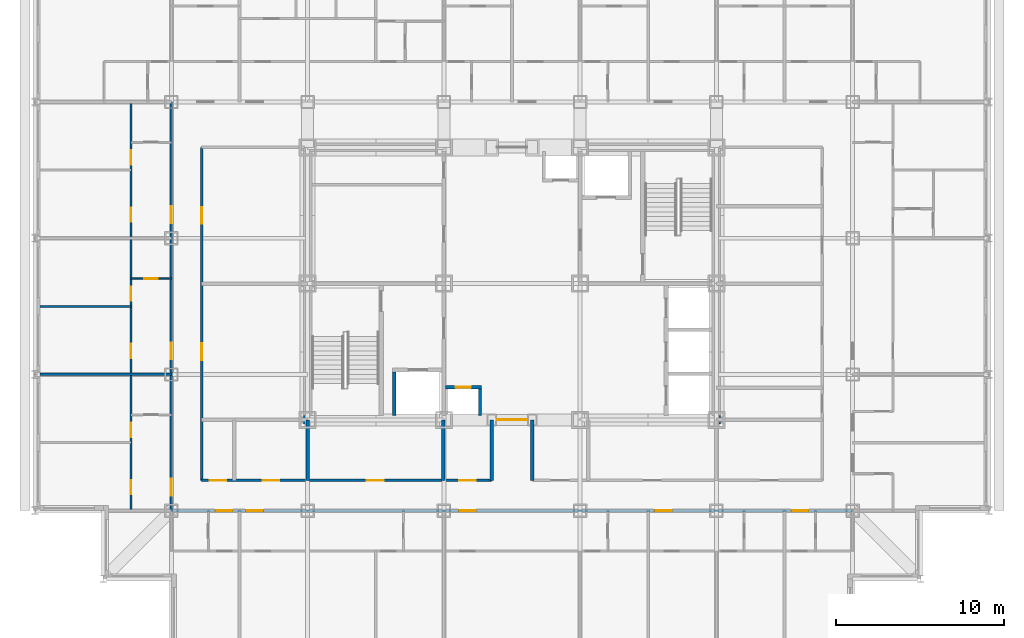
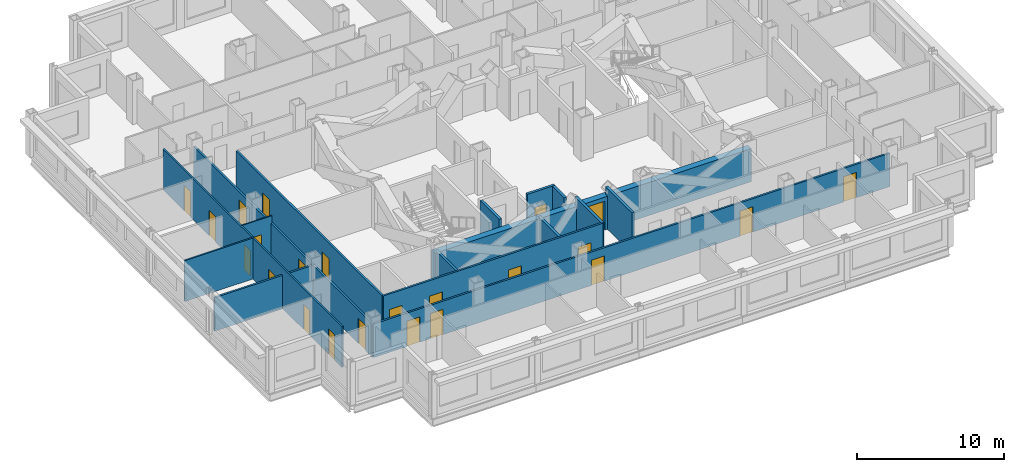
# One storey, part 5 of 12: 23 doors, 16 walls, 23 openings.
"""IFC4 building model written with IfcOpenShell, lengths in metres."""

from ifc_helpers import new_model, si_unit, direction, frame, frame_2d, origin, place, context, subcontext, project, spatial, rectangle, extrude, material, layer, layer_set, type_object, element, fill, save


model = new_model("IFC4")

# Units and contexts
model_context = context("Model", 3, precision=1e-05, world=origin(), true_north=direction((0.0, 1.0)))
body_context = subcontext(model_context, "Body", "Model", "MODEL_VIEW")
ifc_project = project(units=[si_unit("LENGTHUNIT", "METRE"), si_unit("AREAUNIT", "SQUARE_METRE"), si_unit("VOLUMEUNIT", "CUBIC_METRE"), si_unit("PLANEANGLEUNIT", "RADIAN"), si_unit("MASSUNIT", "GRAM", prefix="KILO")], contexts=[model_context])

# Site, building, storey
site_placement = place(None, origin())
site = spatial("IfcSite", under=ifc_project, at=site_placement, CompositionType="ELEMENT")
building_placement = place(site_placement, origin())
building = spatial("IfcBuilding", under=site, at=building_placement, Name="Kopane Lantern Tower", CompositionType="ELEMENT")
storey_placement = place(building_placement, frame((0.0, 0.0, 195.60009765625)))
storey = spatial("IfcBuildingStorey", under=building, at=storey_placement, Name="L50", CompositionType="ELEMENT", Elevation=195.60009765625)

# Wall, openings, doors
ifc_material_1 = material(Name="Gypsum board on steel studs", Category="steel")
ifc_layer_1 = layer(ifc_material_1, 0.1201171875)
ifc_layer_set_1 = layer_set([ifc_layer_1], Name="APARTMENT INTERNAL WALL 120")
wall_type_1 = type_object("IfcWallType", Name="APARTMENT INTERNAL WALL 120", PredefinedType="PARTITIONING", material=ifc_layer_set_1)
wall_1_placement = place(storey_placement, frame((5.699951171875, 18.89990234375, 0.0), z_axis=(0.0, 0.0, 1.0), x_axis=(0.0, 1.0, 0.0)))
wall_1 = element("IfcWall", 1, at=wall_1_placement, inside=storey, type_object=wall_type_1, Name="Apartment Internal Wall 120 L50", PredefinedType="PARTITIONING", context=body_context, shape_type="SweptSolid", body=[
    extrude(rectangle(XDim=24.300048828125, YDim=0.1201171875, at=frame_2d((12.14990234375, 0.0))), origin(), (0.0, 0.0, 1.0), 3.389892578125),
])
opening_1_placement = place(wall_1_placement, frame((0.97509765625, 0.0, 0.0)))
opening_1 = element("IfcOpeningElement", 2, at=opening_1_placement, cuts=wall_1, Name="Opening L50-042", PredefinedType="OPENING", context=body_context, shape_type="SweptSolid", body=[
    extrude(rectangle(XDim=0.85009765625, YDim=2.10009765625, at=frame_2d((0.425048828125, 1.050048828125))), frame((0.0, 0.070068359375, 0.0), z_axis=(0.0, -1.0, 0.0), x_axis=(1.0, 0.0, 0.0)), (0.0, 0.0, 1.0), 0.14013671875),
])
opening_2_placement = place(wall_1_placement, frame((4.375, 0.0, 0.0)))
opening_2 = element("IfcOpeningElement", 3, at=opening_2_placement, cuts=wall_1, Name="Opening L50-043", PredefinedType="OPENING", context=body_context, shape_type="SweptSolid", body=[
    extrude(rectangle(XDim=0.85009765625, YDim=2.10009765625, at=frame_2d((0.425048828125, 1.050048828125))), frame((0.0, 0.070068359375, 0.0), z_axis=(0.0, -1.0, 0.0), x_axis=(1.0, 0.0, 0.0)), (0.0, 0.0, 1.0), 0.14013671875),
])
opening_3_placement = place(wall_1_placement, frame((9.074951171875, 0.0, 0.0)))
opening_3 = element("IfcOpeningElement", 4, at=opening_3_placement, cuts=wall_1, Name="Opening L50-046", PredefinedType="OPENING", context=body_context, shape_type="SweptSolid", body=[
    extrude(rectangle(XDim=0.85009765625, YDim=2.10009765625, at=frame_2d((0.425048828125, 1.050048828125))), frame((0.0, 0.070068359375, 0.0), z_axis=(0.0, -1.0, 0.0), x_axis=(1.0, 0.0, 0.0)), (0.0, 0.0, 1.0), 0.14013671875),
])
opening_4_placement = place(wall_1_placement, frame((12.47509765625, 0.0, 0.0)))
opening_4 = element("IfcOpeningElement", 5, at=opening_4_placement, cuts=wall_1, Name="Opening L50-047", PredefinedType="OPENING", context=body_context, shape_type="SweptSolid", body=[
    extrude(rectangle(XDim=0.85009765625, YDim=2.10009765625, at=frame_2d((0.425048828125, 1.050048828125))), frame((0.0, 0.070068359375, 0.0), z_axis=(0.0, -1.0, 0.0), x_axis=(1.0, 0.0, 0.0)), (0.0, 0.0, 1.0), 0.14013671875),
])
opening_5_placement = place(wall_1_placement, frame((17.175048828125, 0.0, 0.0)))
opening_5 = element("IfcOpeningElement", 6, at=opening_5_placement, cuts=wall_1, Name="Opening L50-050", PredefinedType="OPENING", context=body_context, shape_type="SweptSolid", body=[
    extrude(rectangle(XDim=0.85009765625, YDim=2.10009765625, at=frame_2d((0.425048828125, 1.050048828125))), frame((0.0, 0.070068359375, 0.0), z_axis=(0.0, -1.0, 0.0), x_axis=(1.0, 0.0, 0.0)), (0.0, 0.0, 1.0), 0.14013671875),
])
opening_6_placement = place(wall_1_placement, frame((20.574951171875, 0.0, 0.0)))
opening_6 = element("IfcOpeningElement", 7, at=opening_6_placement, cuts=wall_1, Name="Opening L50-051", PredefinedType="OPENING", context=body_context, shape_type="SweptSolid", body=[
    extrude(rectangle(XDim=0.85009765625, YDim=2.10009765625, at=frame_2d((0.425048828125, 1.050048828125))), frame((0.0, 0.070068359375, 0.0), z_axis=(0.0, -1.0, 0.0), x_axis=(1.0, 0.0, 0.0)), (0.0, 0.0, 1.0), 0.14013671875),
])
ifc_material_2 = material(Name="Timber door set", Category="wood")
door_type_1 = type_object("IfcDoorType", Name="DOOR D4 850x2100", OperationType="SINGLE_SWING_LEFT", PredefinedType="DOOR", material=ifc_material_2)
door_1_placement = place(opening_1_placement, origin())
door_1 = element("IfcDoor", 8, at=door_1_placement, inside=storey, type_object=door_type_1, Name="Door L50-042", OperationType="SINGLE_SWING_RIGHT", OverallHeight=2.10009765625, OverallWidth=0.85009765625, PredefinedType="DOOR", context=body_context, shape_type="SweptSolid", body=[
    extrude(rectangle(XDim=0.85009765625, YDim=2.10009765625, at=frame_2d((0.425048828125, 1.050048828125))), frame((0.0, 0.02490234375, 0.0), z_axis=(0.0, -1.0, 0.0), x_axis=(1.0, 0.0, 0.0)), (0.0, 0.0, 1.0), 0.050048828125),
])
fill(opening_1, door_1)
door_2_placement = place(opening_2_placement, origin())
door_2 = element("IfcDoor", 9, at=door_2_placement, inside=storey, type_object=door_type_1, Name="Door L50-043", OperationType="SINGLE_SWING_LEFT", OverallHeight=2.10009765625, OverallWidth=0.85009765625, PredefinedType="DOOR", context=body_context, shape_type="SweptSolid", body=[
    extrude(rectangle(XDim=0.85009765625, YDim=2.10009765625, at=frame_2d((0.425048828125, 1.050048828125))), frame((0.0, 0.02490234375, 0.0), z_axis=(0.0, -1.0, 0.0), x_axis=(1.0, 0.0, 0.0)), (0.0, 0.0, 1.0), 0.050048828125),
])
fill(opening_2, door_2)
door_3_placement = place(opening_3_placement, origin())
door_3 = element("IfcDoor", 10, at=door_3_placement, inside=storey, type_object=door_type_1, Name="Door L50-046", OperationType="SINGLE_SWING_RIGHT", OverallHeight=2.10009765625, OverallWidth=0.85009765625, PredefinedType="DOOR", context=body_context, shape_type="SweptSolid", body=[
    extrude(rectangle(XDim=0.85009765625, YDim=2.10009765625, at=frame_2d((0.425048828125, 1.050048828125))), frame((0.0, 0.02490234375, 0.0), z_axis=(0.0, -1.0, 0.0), x_axis=(1.0, 0.0, 0.0)), (0.0, 0.0, 1.0), 0.050048828125),
])
fill(opening_3, door_3)
door_4_placement = place(opening_4_placement, origin())
door_4 = element("IfcDoor", 11, at=door_4_placement, inside=storey, type_object=door_type_1, Name="Door L50-047", OperationType="SINGLE_SWING_LEFT", OverallHeight=2.10009765625, OverallWidth=0.85009765625, PredefinedType="DOOR", context=body_context, shape_type="SweptSolid", body=[
    extrude(rectangle(XDim=0.85009765625, YDim=2.10009765625, at=frame_2d((0.425048828125, 1.050048828125))), frame((0.0, 0.02490234375, 0.0), z_axis=(0.0, -1.0, 0.0), x_axis=(1.0, 0.0, 0.0)), (0.0, 0.0, 1.0), 0.050048828125),
])
fill(opening_4, door_4)
door_5_placement = place(opening_5_placement, origin())
door_5 = element("IfcDoor", 12, at=door_5_placement, inside=storey, type_object=door_type_1, Name="Door L50-050", OperationType="SINGLE_SWING_RIGHT", OverallHeight=2.10009765625, OverallWidth=0.85009765625, PredefinedType="DOOR", context=body_context, shape_type="SweptSolid", body=[
    extrude(rectangle(XDim=0.85009765625, YDim=2.10009765625, at=frame_2d((0.425048828125, 1.050048828125))), frame((0.0, 0.02490234375, 0.0), z_axis=(0.0, -1.0, 0.0), x_axis=(1.0, 0.0, 0.0)), (0.0, 0.0, 1.0), 0.050048828125),
])
fill(opening_5, door_5)
door_6_placement = place(opening_6_placement, origin())
door_6 = element("IfcDoor", 13, at=door_6_placement, inside=storey, type_object=door_type_1, Name="Door L50-051", OperationType="SINGLE_SWING_LEFT", OverallHeight=2.10009765625, OverallWidth=0.85009765625, PredefinedType="DOOR", context=body_context, shape_type="SweptSolid", body=[
    extrude(rectangle(XDim=0.85009765625, YDim=2.10009765625, at=frame_2d((0.425048828125, 1.050048828125))), frame((0.0, 0.02490234375, 0.0), z_axis=(0.0, -1.0, 0.0), x_axis=(1.0, 0.0, 0.0)), (0.0, 0.0, 1.0), 0.050048828125),
])
fill(opening_6, door_6)

# Wall
wall_2_placement = place(storey_placement, frame((5.699951171875, 31.050048828125, 0.0), z_axis=(0.0, 0.0, 1.0), x_axis=(-1.0, 0.0, 0.0)))
element("IfcWall", 14, at=wall_2_placement, inside=storey, type_object=wall_type_1, Name="Apartment Internal Wall 120 L50", PredefinedType="PARTITIONING", context=body_context, shape_type="SweptSolid", body=[
    extrude(rectangle(XDim=5.39990234375, YDim=0.1201171875, at=frame_2d((2.699951171875, 0.0))), origin(), (0.0, 0.0, 1.0), 3.389892578125),
])

# Wall, opening, door
ifc_material_3 = material(Name="Moisture-resistant board on steel studs", Category="steel")
ifc_layer_2 = layer(ifc_material_3, 0.10009765625)
ifc_layer_set_2 = layer_set([ifc_layer_2], Name="BATHROOM WALL 100")
wall_type_2 = type_object("IfcWallType", Name="BATHROOM WALL 100", PredefinedType="PARTITIONING", material=ifc_layer_set_2)
wall_3_placement = place(storey_placement, frame((8.10009765625, 32.699951171875, 0.0), z_axis=(0.0, 0.0, 1.0), x_axis=(-1.0, 0.0, 0.0)))
wall_3 = element("IfcWall", 15, at=wall_3_placement, inside=storey, type_object=wall_type_2, Name="Bathroom Wall 100 L50", PredefinedType="PARTITIONING", context=body_context, shape_type="SweptSolid", body=[
    extrude(rectangle(XDim=2.400146484375, YDim=0.10009765625, at=frame_2d((1.2001953125, 0.0))), origin(), (0.0, 0.0, 1.0), 3.389892578125),
])
opening_7_placement = place(wall_3_placement, frame((0.800048828125, 0.0, 0.0)))
opening_7 = element("IfcOpeningElement", 16, at=opening_7_placement, cuts=wall_3, Name="Opening L50-044", PredefinedType="OPENING", context=body_context, shape_type="SweptSolid", body=[
    extrude(rectangle(XDim=0.800048828125, YDim=2.10009765625, at=frame_2d((0.39990234375, 1.050048828125))), frame((0.0, 0.06005859375, 0.0), z_axis=(0.0, -1.0, 0.0), x_axis=(1.0, 0.0, 0.0)), (0.0, 0.0, 1.0), 0.1201171875),
])
ifc_material_4 = material(Name="Timber door set", Category="wood")
door_type_2 = type_object("IfcDoorType", Name="DOOR D2 800x2100", OperationType="SINGLE_SWING_LEFT", PredefinedType="DOOR", material=ifc_material_4)
door_7_placement = place(opening_7_placement, origin())
door_7 = element("IfcDoor", 17, at=door_7_placement, inside=storey, type_object=door_type_2, Name="Door L50-044", OperationType="SINGLE_SWING_RIGHT", OverallHeight=2.10009765625, OverallWidth=0.800048828125, PredefinedType="DOOR", context=body_context, shape_type="SweptSolid", body=[
    extrude(rectangle(XDim=0.800048828125, YDim=2.10009765625, at=frame_2d((0.39990234375, 1.050048828125))), frame((0.0, 0.02490234375, 0.0), z_axis=(0.0, -1.0, 0.0), x_axis=(1.0, 0.0, 0.0)), (0.0, 0.0, 1.0), 0.050048828125),
])
fill(opening_7, door_7)

ifc_material_5 = material(Name="Gypsum shaft wall EI 120", Category="gypsum")
ifc_layer_3 = layer(ifc_material_5, 0.5)
ifc_layer_set_3 = layer_set([ifc_layer_3], Name="CORE PERIMETER WALL 500 EI 120")
wall_type_3 = type_object("IfcWallType", Name="CORE PERIMETER WALL 500 EI 120", PredefinedType="SOLIDWALL", material=ifc_layer_set_3)
wall_4_placement = place(storey_placement, frame((15.949951171875, 24.300048828125, 0.0), z_axis=(0.0, 0.0, 1.0), x_axis=(1.0, 0.0, 0.0)))
wall_4 = element("IfcWall", 18, at=wall_4_placement, inside=storey, type_object=wall_type_3, Name="Core shaft wall L50 PS", PredefinedType="SOLIDWALL", context=body_context, shape_type="SweptSolid", body=[
    extrude(rectangle(XDim=24.800048828125, YDim=0.5, at=frame_2d((12.39990234375, 0.0))), origin(), (0.0, 0.0, 1.0), 2.739990234375),
])
opening_8_placement = place(wall_4_placement, frame((11.5, 0.0, 0.0)))
opening_8 = element("IfcOpeningElement", 19, at=opening_8_placement, cuts=wall_4, Name="Opening 50.CE-S", PredefinedType="OPENING", context=body_context, shape_type="SweptSolid", body=[
    extrude(rectangle(XDim=1.800048828125, YDim=2.39990234375, at=frame_2d((0.89990234375, 1.199951171875))), frame((0.0, 0.260009765625, 0.0), z_axis=(0.0, -1.0, 0.0), x_axis=(1.0, 0.0, 0.0)), (0.0, 0.0, 1.0), 0.52001953125),
])
ifc_material_6 = material(Name="Steel door set", Category="steel")
door_type_3 = type_object("IfcDoorType", Name="CORE ENTRY DOOR 1800x2400 FD60S", OperationType="DOUBLE_DOOR_SINGLE_SWING", PredefinedType="DOOR", material=ifc_material_6)
door_8_placement = place(opening_8_placement, origin())
door_8 = element("IfcDoor", 20, at=door_8_placement, inside=storey, type_object=door_type_3, Name="Core entry door L50 south", OperationType="DOUBLE_DOOR_SINGLE_SWING", OverallHeight=2.39990234375, OverallWidth=1.800048828125, PredefinedType="DOOR", context=body_context, shape_type="SweptSolid", body=[
    extrude(rectangle(XDim=1.800048828125, YDim=2.39990234375, at=frame_2d((0.89990234375, 1.199951171875))), frame((0.0, 0.02490234375, 0.0), z_axis=(0.0, -1.0, 0.0), x_axis=(1.0, 0.0, 0.0)), (0.0, 0.0, 1.0), 0.050048828125),
])
fill(opening_8, door_8)

# Wall, openings, doors
ifc_material_7 = material(Name="Gypsum board on steel studs", Category="steel")
ifc_layer_4 = layer(ifc_material_7, 0.14990234375)
ifc_layer_set_4 = layer_set([ifc_layer_4], Name="CORRIDOR WALL 150 EI 60")
wall_type_4 = type_object("IfcWallType", Name="CORRIDOR WALL 150 EI 60", PredefinedType="PARTITIONING", material=ifc_layer_set_4)
wall_5_placement = place(storey_placement, frame((8.10009765625, 18.89990234375, 0.0), z_axis=(0.0, 0.0, 1.0), x_axis=(1.0, 0.0, 0.0)))
wall_5 = element("IfcWall", 21, at=wall_5_placement, inside=storey, type_object=wall_type_4, Name="Corridor Wall 150 Ei 60 L50", PredefinedType="PARTITIONING", context=body_context, shape_type="SweptSolid", body=[
    extrude(rectangle(XDim=40.5, YDim=0.14990234375, at=frame_2d((20.25, 0.0))), origin(), (0.0, 0.0, 1.0), 2.777587890625),
])
opening_9_placement = place(wall_5_placement, frame((4.449951171875, 0.0, 0.0)))
opening_9 = element("IfcOpeningElement", 22, at=opening_9_placement, cuts=wall_5, Name="Opening L50-015", PredefinedType="OPENING", context=body_context, shape_type="SweptSolid", body=[
    extrude(rectangle(XDim=1.0, YDim=2.10009765625, at=frame_2d((0.5, 1.050048828125))), frame((0.0, 0.0849609375, 0.0), z_axis=(0.0, -1.0, 0.0), x_axis=(1.0, 0.0, 0.0)), (0.0, 0.0, 1.0), 0.169921875),
])
opening_10_placement = place(wall_5_placement, frame((17.10009765625, 0.0, 0.0)))
opening_10 = element("IfcOpeningElement", 23, at=opening_10_placement, cuts=wall_5, Name="Opening L50-019", PredefinedType="OPENING", context=body_context, shape_type="SweptSolid", body=[
    extrude(rectangle(XDim=1.0, YDim=2.10009765625, at=frame_2d((0.5, 1.050048828125))), frame((0.0, 0.0849609375, 0.0), z_axis=(0.0, -1.0, 0.0), x_axis=(1.0, 0.0, 0.0)), (0.0, 0.0, 1.0), 0.169921875),
])
opening_11_placement = place(wall_5_placement, frame((28.75, 0.0, 0.0)))
opening_11 = element("IfcOpeningElement", 24, at=opening_11_placement, cuts=wall_5, Name="Opening L50-023", PredefinedType="OPENING", context=body_context, shape_type="SweptSolid", body=[
    extrude(rectangle(XDim=1.0, YDim=2.10009765625, at=frame_2d((0.5, 1.050048828125))), frame((0.0, 0.0849609375, 0.0), z_axis=(0.0, -1.0, 0.0), x_axis=(1.0, 0.0, 0.0)), (0.0, 0.0, 1.0), 0.169921875),
])
opening_12_placement = place(wall_5_placement, frame((2.625, 0.0, 0.0)))
opening_12 = element("IfcOpeningElement", 25, at=opening_12_placement, cuts=wall_5, Name="Opening L50-063", PredefinedType="OPENING", context=body_context, shape_type="SweptSolid", body=[
    extrude(rectangle(XDim=1.0, YDim=2.10009765625, at=frame_2d((0.5, 1.050048828125))), frame((0.0, 0.0849609375, 0.0), z_axis=(0.0, -1.0, 0.0), x_axis=(1.0, 0.0, 0.0)), (0.0, 0.0, 1.0), 0.169921875),
])
opening_13_placement = place(wall_5_placement, frame((36.875, 0.0, 0.0)))
opening_13 = element("IfcOpeningElement", 26, at=opening_13_placement, cuts=wall_5, Name="Opening L50-066", PredefinedType="OPENING", context=body_context, shape_type="SweptSolid", body=[
    extrude(rectangle(XDim=1.0, YDim=2.10009765625, at=frame_2d((0.5, 1.050048828125))), frame((0.0, 0.0849609375, 0.0), z_axis=(0.0, -1.0, 0.0), x_axis=(1.0, 0.0, 0.0)), (0.0, 0.0, 1.0), 0.169921875),
])
ifc_material_8 = material(Name="Steel door set", Category="steel")
door_type_4 = type_object("IfcDoorType", Name="DOOR D3 1000x2100 FD30S", OperationType="SINGLE_SWING_LEFT", PredefinedType="DOOR", material=ifc_material_8)
door_9_placement = place(opening_9_placement, origin())
door_9 = element("IfcDoor", 27, at=door_9_placement, inside=storey, type_object=door_type_4, Name="Door L50-015", OperationType="SINGLE_SWING_RIGHT", OverallHeight=2.10009765625, OverallWidth=1.0, PredefinedType="DOOR", context=body_context, shape_type="SweptSolid", body=[
    extrude(rectangle(XDim=1.0, YDim=2.10009765625, at=frame_2d((0.5, 1.050048828125))), frame((0.0, 0.02490234375, 0.0), z_axis=(0.0, -1.0, 0.0), x_axis=(1.0, 0.0, 0.0)), (0.0, 0.0, 1.0), 0.050048828125),
])
fill(opening_9, door_9)
door_10_placement = place(opening_10_placement, origin())
door_10 = element("IfcDoor", 28, at=door_10_placement, inside=storey, type_object=door_type_4, Name="Door L50-019", OperationType="SINGLE_SWING_RIGHT", OverallHeight=2.10009765625, OverallWidth=1.0, PredefinedType="DOOR", context=body_context, shape_type="SweptSolid", body=[
    extrude(rectangle(XDim=1.0, YDim=2.10009765625, at=frame_2d((0.5, 1.050048828125))), frame((0.0, 0.02490234375, 0.0), z_axis=(0.0, -1.0, 0.0), x_axis=(1.0, 0.0, 0.0)), (0.0, 0.0, 1.0), 0.050048828125),
])
fill(opening_10, door_10)
door_11_placement = place(opening_11_placement, origin())
door_11 = element("IfcDoor", 29, at=door_11_placement, inside=storey, type_object=door_type_4, Name="Door L50-023", OperationType="SINGLE_SWING_RIGHT", OverallHeight=2.10009765625, OverallWidth=1.0, PredefinedType="DOOR", context=body_context, shape_type="SweptSolid", body=[
    extrude(rectangle(XDim=1.0, YDim=2.10009765625, at=frame_2d((0.5, 1.050048828125))), frame((0.0, 0.02490234375, 0.0), z_axis=(0.0, -1.0, 0.0), x_axis=(1.0, 0.0, 0.0)), (0.0, 0.0, 1.0), 0.050048828125),
])
fill(opening_11, door_11)
door_12_placement = place(opening_12_placement, origin())
door_12 = element("IfcDoor", 30, at=door_12_placement, inside=storey, type_object=door_type_4, Name="Door L50-063", OperationType="SINGLE_SWING_RIGHT", OverallHeight=2.10009765625, OverallWidth=1.0, PredefinedType="DOOR", context=body_context, shape_type="SweptSolid", body=[
    extrude(rectangle(XDim=1.0, YDim=2.10009765625, at=frame_2d((0.5, 1.050048828125))), frame((0.0, 0.02490234375, 0.0), z_axis=(0.0, -1.0, 0.0), x_axis=(1.0, 0.0, 0.0)), (0.0, 0.0, 1.0), 0.050048828125),
])
fill(opening_12, door_12)
door_13_placement = place(opening_13_placement, origin())
door_13 = element("IfcDoor", 31, at=door_13_placement, inside=storey, type_object=door_type_4, Name="Door L50-066", OperationType="SINGLE_SWING_RIGHT", OverallHeight=2.10009765625, OverallWidth=1.0, PredefinedType="DOOR", context=body_context, shape_type="SweptSolid", body=[
    extrude(rectangle(XDim=1.0, YDim=2.10009765625, at=frame_2d((0.5, 1.050048828125))), frame((0.0, 0.02490234375, 0.0), z_axis=(0.0, -1.0, 0.0), x_axis=(1.0, 0.0, 0.0)), (0.0, 0.0, 1.0), 0.050048828125),
])
fill(opening_13, door_13)

wall_6_placement = place(storey_placement, frame((8.10009765625, 18.89990234375, 0.0), z_axis=(0.0, 0.0, 1.0), x_axis=(0.0, 1.0, 0.0)))
wall_6 = element("IfcWall", 32, at=wall_6_placement, inside=storey, type_object=wall_type_4, Name="Corridor Wall 150 Ei 60 L50", PredefinedType="PARTITIONING", context=body_context, shape_type="SweptSolid", body=[
    extrude(rectangle(XDim=24.300048828125, YDim=0.14990234375, at=frame_2d((12.14990234375, 0.0))), origin(), (0.0, 0.0, 1.0), 2.777587890625),
])
opening_14_placement = place(wall_6_placement, frame((0.89990234375, 0.0, 0.0)))
opening_14 = element("IfcOpeningElement", 33, at=opening_14_placement, cuts=wall_6, Name="Opening L50-041", PredefinedType="OPENING", context=body_context, shape_type="SweptSolid", body=[
    extrude(rectangle(XDim=1.0, YDim=2.10009765625, at=frame_2d((0.5, 1.050048828125))), frame((0.0, 0.0849609375, 0.0), z_axis=(0.0, -1.0, 0.0), x_axis=(1.0, 0.0, 0.0)), (0.0, 0.0, 1.0), 0.169921875),
])
opening_15_placement = place(wall_6_placement, frame((9.0, 0.0, 0.0)))
opening_15 = element("IfcOpeningElement", 34, at=opening_15_placement, cuts=wall_6, Name="Opening L50-045", PredefinedType="OPENING", context=body_context, shape_type="SweptSolid", body=[
    extrude(rectangle(XDim=1.0, YDim=2.10009765625, at=frame_2d((0.5, 1.050048828125))), frame((0.0, 0.0849609375, 0.0), z_axis=(0.0, -1.0, 0.0), x_axis=(1.0, 0.0, 0.0)), (0.0, 0.0, 1.0), 0.169921875),
])
opening_16_placement = place(wall_6_placement, frame((17.10009765625, 0.0, 0.0)))
opening_16 = element("IfcOpeningElement", 35, at=opening_16_placement, cuts=wall_6, Name="Opening L50-049", PredefinedType="OPENING", context=body_context, shape_type="SweptSolid", body=[
    extrude(rectangle(XDim=1.0, YDim=2.10009765625, at=frame_2d((0.5, 1.050048828125))), frame((0.0, 0.0849609375, 0.0), z_axis=(0.0, -1.0, 0.0), x_axis=(1.0, 0.0, 0.0)), (0.0, 0.0, 1.0), 0.169921875),
])
door_14_placement = place(opening_14_placement, origin())
door_14 = element("IfcDoor", 36, at=door_14_placement, inside=storey, type_object=door_type_4, Name="Door L50-041", OperationType="SINGLE_SWING_LEFT", OverallHeight=2.10009765625, OverallWidth=1.0, PredefinedType="DOOR", context=body_context, shape_type="SweptSolid", body=[
    extrude(rectangle(XDim=1.0, YDim=2.10009765625, at=frame_2d((0.5, 1.050048828125))), frame((0.0, 0.02490234375, 0.0), z_axis=(0.0, -1.0, 0.0), x_axis=(1.0, 0.0, 0.0)), (0.0, 0.0, 1.0), 0.050048828125),
])
fill(opening_14, door_14)
door_15_placement = place(opening_15_placement, origin())
door_15 = element("IfcDoor", 37, at=door_15_placement, inside=storey, type_object=door_type_4, Name="Door L50-045", OperationType="SINGLE_SWING_LEFT", OverallHeight=2.10009765625, OverallWidth=1.0, PredefinedType="DOOR", context=body_context, shape_type="SweptSolid", body=[
    extrude(rectangle(XDim=1.0, YDim=2.10009765625, at=frame_2d((0.5, 1.050048828125))), frame((0.0, 0.02490234375, 0.0), z_axis=(0.0, -1.0, 0.0), x_axis=(1.0, 0.0, 0.0)), (0.0, 0.0, 1.0), 0.050048828125),
])
fill(opening_15, door_15)
door_16_placement = place(opening_16_placement, origin())
door_16 = element("IfcDoor", 38, at=door_16_placement, inside=storey, type_object=door_type_4, Name="Door L50-049", OperationType="SINGLE_SWING_LEFT", OverallHeight=2.10009765625, OverallWidth=1.0, PredefinedType="DOOR", context=body_context, shape_type="SweptSolid", body=[
    extrude(rectangle(XDim=1.0, YDim=2.10009765625, at=frame_2d((0.5, 1.050048828125))), frame((0.0, 0.02490234375, 0.0), z_axis=(0.0, -1.0, 0.0), x_axis=(1.0, 0.0, 0.0)), (0.0, 0.0, 1.0), 0.050048828125),
])
fill(opening_16, door_16)

wall_7_placement = place(storey_placement, frame((9.89990234375, 40.5, 0.0), z_axis=(0.0, 0.0, 1.0), x_axis=(0.0, -1.0, 0.0)))
wall_7 = element("IfcWall", 39, at=wall_7_placement, inside=storey, type_object=wall_type_4, Name="Corridor Wall 150 Ei 60 L50", PredefinedType="PARTITIONING", context=body_context, shape_type="SweptSolid", body=[
    extrude(rectangle(XDim=19.800048828125, YDim=0.14990234375, at=frame_2d((9.89990234375, 0.0))), origin(), (0.0, 0.0, 1.0), 3.389892578125),
])
opening_17_placement = place(wall_7_placement, frame((11.64990234375, 0.0, 0.0)))
opening_17 = element("IfcOpeningElement", 40, at=opening_17_placement, cuts=wall_7, Name="Opening L50-001", PredefinedType="OPENING", context=body_context, shape_type="SweptSolid", body=[
    extrude(rectangle(XDim=1.0, YDim=2.10009765625, at=frame_2d((0.5, 1.050048828125))), frame((0.0, 0.0849609375, 0.0), z_axis=(0.0, -1.0, 0.0), x_axis=(1.0, 0.0, 0.0)), (0.0, 0.0, 1.0), 0.169921875),
])
opening_18_placement = place(wall_7_placement, frame((3.550048828125, 0.0, 0.0)))
opening_18 = element("IfcOpeningElement", 41, at=opening_18_placement, cuts=wall_7, Name="Opening L50-002", PredefinedType="OPENING", context=body_context, shape_type="SweptSolid", body=[
    extrude(rectangle(XDim=1.0, YDim=2.10009765625, at=frame_2d((0.5, 1.050048828125))), frame((0.0, 0.0849609375, 0.0), z_axis=(0.0, -1.0, 0.0), x_axis=(1.0, 0.0, 0.0)), (0.0, 0.0, 1.0), 0.169921875),
])
ifc_material_9 = material(Name="Steel door set", Category="steel")
door_type_5 = type_object("IfcDoorType", Name="DOOR D5 1000x2100 FD60", OperationType="SINGLE_SWING_LEFT", PredefinedType="DOOR", material=ifc_material_9)
door_17_placement = place(opening_17_placement, origin())
door_17 = element("IfcDoor", 42, at=door_17_placement, inside=storey, type_object=door_type_5, Name="Door L50-001", OperationType="SINGLE_SWING_RIGHT", OverallHeight=2.10009765625, OverallWidth=1.0, PredefinedType="DOOR", context=body_context, shape_type="SweptSolid", body=[
    extrude(rectangle(XDim=1.0, YDim=2.10009765625, at=frame_2d((0.5, 1.050048828125))), frame((0.0, 0.02490234375, 0.0), z_axis=(0.0, -1.0, 0.0), x_axis=(1.0, 0.0, 0.0)), (0.0, 0.0, 1.0), 0.050048828125),
])
fill(opening_17, door_17)
door_18_placement = place(opening_18_placement, origin())
door_18 = element("IfcDoor", 43, at=door_18_placement, inside=storey, type_object=door_type_5, Name="Door L50-002", OperationType="SINGLE_SWING_LEFT", OverallHeight=2.10009765625, OverallWidth=1.0, PredefinedType="DOOR", context=body_context, shape_type="SweptSolid", body=[
    extrude(rectangle(XDim=1.0, YDim=2.10009765625, at=frame_2d((0.5, 1.050048828125))), frame((0.0, 0.02490234375, 0.0), z_axis=(0.0, -1.0, 0.0), x_axis=(1.0, 0.0, 0.0)), (0.0, 0.0, 1.0), 0.050048828125),
])
fill(opening_18, door_18)

wall_8_placement = place(storey_placement, frame((9.89990234375, 20.699951171875, 0.0), z_axis=(0.0, 0.0, 1.0), x_axis=(1.0, 0.0, 0.0)))
wall_8 = element("IfcWall", 44, at=wall_8_placement, inside=storey, type_object=wall_type_4, Name="Corridor Wall 150 Ei 60 L50", PredefinedType="PARTITIONING", context=body_context, shape_type="SweptSolid", body=[
    extrude(rectangle(XDim=17.239990234375, YDim=0.14990234375, at=frame_2d((8.6201171875, 0.0))), origin(), (0.0, 0.0, 1.0), 3.389892578125),
])
opening_19_placement = place(wall_8_placement, frame((0.47216796875, 0.0, 0.0)))
opening_19 = element("IfcOpeningElement", 45, at=opening_19_placement, cuts=wall_8, Name="Opening L50-007", PredefinedType="OPENING", context=body_context, shape_type="SweptSolid", body=[
    extrude(rectangle(XDim=1.0, YDim=2.10009765625, at=frame_2d((0.5, 1.050048828125))), frame((0.0, 0.0849609375, 0.0), z_axis=(0.0, -1.0, 0.0), x_axis=(1.0, 0.0, 0.0)), (0.0, 0.0, 1.0), 0.169921875),
])
opening_20_placement = place(wall_8_placement, frame((3.622314453125, 0.0, 0.0)))
opening_20 = element("IfcOpeningElement", 46, at=opening_20_placement, cuts=wall_8, Name="Opening L50-008", PredefinedType="OPENING", context=body_context, shape_type="SweptSolid", body=[
    extrude(rectangle(XDim=1.0, YDim=2.10009765625, at=frame_2d((0.5, 1.050048828125))), frame((0.0, 0.0849609375, 0.0), z_axis=(0.0, -1.0, 0.0), x_axis=(1.0, 0.0, 0.0)), (0.0, 0.0, 1.0), 0.169921875),
])
opening_21_placement = place(wall_8_placement, frame((9.827880859375, 0.0, 0.0)))
opening_21 = element("IfcOpeningElement", 47, at=opening_21_placement, cuts=wall_8, Name="Opening L50-009", PredefinedType="OPENING", context=body_context, shape_type="SweptSolid", body=[
    extrude(rectangle(XDim=1.0, YDim=2.10009765625, at=frame_2d((0.5, 1.050048828125))), frame((0.0, 0.0849609375, 0.0), z_axis=(0.0, -1.0, 0.0), x_axis=(1.0, 0.0, 0.0)), (0.0, 0.0, 1.0), 0.169921875),
])
opening_22_placement = place(wall_8_placement, frame((15.302734375, 0.0, 0.0)))
opening_22 = element("IfcOpeningElement", 48, at=opening_22_placement, cuts=wall_8, Name="Opening L50-010", PredefinedType="OPENING", context=body_context, shape_type="SweptSolid", body=[
    extrude(rectangle(XDim=1.0, YDim=2.10009765625, at=frame_2d((0.5, 1.050048828125))), frame((0.0, 0.0849609375, 0.0), z_axis=(0.0, -1.0, 0.0), x_axis=(1.0, 0.0, 0.0)), (0.0, 0.0, 1.0), 0.169921875),
])
door_19_placement = place(opening_19_placement, origin())
door_19 = element("IfcDoor", 49, at=door_19_placement, inside=storey, type_object=door_type_5, Name="Door L50-007", OperationType="SINGLE_SWING_LEFT", OverallHeight=2.10009765625, OverallWidth=1.0, PredefinedType="DOOR", context=body_context, shape_type="SweptSolid", body=[
    extrude(rectangle(XDim=1.0, YDim=2.10009765625, at=frame_2d((0.5, 1.050048828125))), frame((0.0, 0.02490234375, 0.0), z_axis=(0.0, -1.0, 0.0), x_axis=(1.0, 0.0, 0.0)), (0.0, 0.0, 1.0), 0.050048828125),
])
fill(opening_19, door_19)
door_20_placement = place(opening_20_placement, origin())
door_20 = element("IfcDoor", 50, at=door_20_placement, inside=storey, type_object=door_type_5, Name="Door L50-008", OperationType="SINGLE_SWING_RIGHT", OverallHeight=2.10009765625, OverallWidth=1.0, PredefinedType="DOOR", context=body_context, shape_type="SweptSolid", body=[
    extrude(rectangle(XDim=1.0, YDim=2.10009765625, at=frame_2d((0.5, 1.050048828125))), frame((0.0, 0.02490234375, 0.0), z_axis=(0.0, -1.0, 0.0), x_axis=(1.0, 0.0, 0.0)), (0.0, 0.0, 1.0), 0.050048828125),
])
fill(opening_20, door_20)
door_21_placement = place(opening_21_placement, origin())
door_21 = element("IfcDoor", 51, at=door_21_placement, inside=storey, type_object=door_type_5, Name="Door L50-009", OperationType="SINGLE_SWING_LEFT", OverallHeight=2.10009765625, OverallWidth=1.0, PredefinedType="DOOR", context=body_context, shape_type="SweptSolid", body=[
    extrude(rectangle(XDim=1.0, YDim=2.10009765625, at=frame_2d((0.5, 1.050048828125))), frame((0.0, 0.02490234375, 0.0), z_axis=(0.0, -1.0, 0.0), x_axis=(1.0, 0.0, 0.0)), (0.0, 0.0, 1.0), 0.050048828125),
])
fill(opening_21, door_21)
door_22_placement = place(opening_22_placement, origin())
door_22 = element("IfcDoor", 52, at=door_22_placement, inside=storey, type_object=door_type_5, Name="Door L50-010", OperationType="SINGLE_SWING_RIGHT", OverallHeight=2.10009765625, OverallWidth=1.0, PredefinedType="DOOR", context=body_context, shape_type="SweptSolid", body=[
    extrude(rectangle(XDim=1.0, YDim=2.10009765625, at=frame_2d((0.5, 1.050048828125))), frame((0.0, 0.02490234375, 0.0), z_axis=(0.0, -1.0, 0.0), x_axis=(1.0, 0.0, 0.0)), (0.0, 0.0, 1.0), 0.050048828125),
])
fill(opening_22, door_22)

# Walls
ifc_material_10 = material(Name="Gypsum board on steel studs", Category="steel")
ifc_layer_5 = layer(ifc_material_10, 0.14990234375)
ifc_layer_set_5 = layer_set([ifc_layer_5], Name="DEMISING WALL 150 EI 60")
wall_type_5 = type_object("IfcWallType", Name="DEMISING WALL 150 EI 60", PredefinedType="PARTITIONING", material=ifc_layer_set_5)
wall_9_placement = place(storey_placement, frame((8.10009765625, 27.0, 0.0), z_axis=(0.0, 0.0, 1.0), x_axis=(-1.0, 0.0, 0.0)))
element("IfcWall", 53, at=wall_9_placement, inside=storey, type_object=wall_type_5, Name="Demising Wall 150 Ei 60 L50", PredefinedType="PARTITIONING", context=body_context, shape_type="SweptSolid", body=[
    extrude(rectangle(XDim=7.800048828125, YDim=0.14990234375, at=frame_2d((3.89990234375, 0.0))), origin(), (0.0, 0.0, 1.0), 2.777587890625),
])
ifc_material_11 = material(Name="Concrete masonry", Category="masonry")
ifc_layer_6 = layer(ifc_material_11, 0.199951171875)
ifc_layer_set_6 = layer_set([ifc_layer_6], Name="PLANT ROOM WALL 200 EI 120")
wall_type_6 = type_object("IfcWallType", Name="PLANT ROOM WALL 200 EI 120", PredefinedType="SOLIDWALL", material=ifc_layer_set_6)
for number, where, z_axis, x_axis, name in (
    (54, (16.199951171875, 20.699951171875, 0.0), (0.0, 0.0, 1.0), (0.0, 1.0, 0.0), "Plant Room Wall 200 Ei 120 L50"),
    (55, (24.255615234375, 20.699951171875, 0.0), (0.0, 0.0, 1.0), (0.0, 1.0, 0.0), "Plant Room Wall 200 Ei 120 L50"),
):
    element("IfcWall", number, at=place(storey_placement, frame(where, z_axis=z_axis, x_axis=x_axis)), inside=storey, type_object=wall_type_6, Name=name, PredefinedType="SOLIDWALL", context=body_context, shape_type="SweptSolid", body=[
        extrude(rectangle(XDim=3.60009765625, YDim=0.199951171875, at=frame_2d((1.800048828125, 0.0))), origin(), (0.0, 0.0, 1.0), 2.777587890625),
    ])
for number, where, z_axis, x_axis, name in (
    (56, (27.14990234375, 20.699951171875, 0.0), (0.0, 0.0, 1.0), (0.0, 1.0, 0.0), "Plant Room Wall 200 Ei 120 L50"),
    (57, (29.550048828125, 20.699951171875, 0.0), (0.0, 0.0, 1.0), (0.0, 1.0, 0.0), "Plant Room Wall 200 Ei 120 L50"),
):
    element("IfcWall", number, at=place(storey_placement, frame(where, z_axis=z_axis, x_axis=x_axis)), inside=storey, type_object=wall_type_6, Name=name, PredefinedType="SOLIDWALL", context=body_context, shape_type="SweptSolid", body=[
        extrude(rectangle(XDim=3.60009765625, YDim=0.199951171875, at=frame_2d((1.800048828125, 0.0))), origin(), (0.0, 0.0, 1.0), 3.389892578125),
    ])
ifc_material_12 = material(Name="Gypsum shaft wall EI 120", Category="gypsum")
ifc_layer_7 = layer(ifc_material_12, 0.199951171875)
ifc_layer_set_7 = layer_set([ifc_layer_7], Name="SHAFT WALL 200 EI 120")
wall_type_7 = type_object("IfcWallType", Name="SHAFT WALL 200 EI 120", PredefinedType="SOLIDWALL", material=ifc_layer_set_7)
wall_10_placement = place(storey_placement, frame((21.35009765625, 24.550048828125, 0.0), z_axis=(0.0, 0.0, 1.0), x_axis=(0.0, 1.0, 0.0)))
element("IfcWall", 58, at=wall_10_placement, inside=storey, type_object=wall_type_7, Name="Core shaft wall L50 XLF1", PredefinedType="SOLIDWALL", context=body_context, shape_type="SweptSolid", body=[
    extrude(rectangle(XDim=2.599853515625, YDim=0.199951171875, at=frame_2d((1.2998046875, 0.0))), origin(), (0.0, 0.0, 1.0), 3.389892578125),
])
wall_11_placement = place(storey_placement, frame((26.449951171875, 24.550048828125, 0.0), z_axis=(0.0, 0.0, 1.0), x_axis=(0.0, 1.0, 0.0)))
element("IfcWall", 59, at=wall_11_placement, inside=storey, type_object=wall_type_7, Name="Core shaft wall L50 XRS1", PredefinedType="SOLIDWALL", context=body_context, shape_type="SweptSolid", body=[
    extrude(rectangle(XDim=1.599853515625, YDim=0.199951171875, at=frame_2d((0.7998046875, 0.0))), origin(), (0.0, 0.0, 1.0), 3.389892578125),
])

# Wall, opening, door
wall_12_placement = place(storey_placement, frame((24.39990234375, 26.25, 0.0), z_axis=(0.0, 0.0, 1.0), x_axis=(1.0, 0.0, 0.0)))
wall_12 = element("IfcWall", 60, at=wall_12_placement, inside=storey, type_object=wall_type_7, Name="Core shaft wall L50 YRS1", PredefinedType="SOLIDWALL", context=body_context, shape_type="SweptSolid", body=[
    extrude(rectangle(XDim=2.150146484375, YDim=0.199951171875, at=frame_2d((1.0751953125, 0.0))), origin(), (0.0, 0.0, 1.0), 3.389892578125),
])
opening_23_placement = place(wall_12_placement, frame((0.60009765625, 0.0, 0.0)))
opening_23 = element("IfcOpeningElement", 61, at=opening_23_placement, cuts=wall_12, Name="Opening 50.RS1", PredefinedType="OPENING", context=body_context, shape_type="SweptSolid", body=[
    extrude(rectangle(XDim=0.89990234375, YDim=2.10009765625, at=frame_2d((0.449951171875, 1.050048828125))), frame((0.0, 0.10986328125, 0.0), z_axis=(0.0, -1.0, 0.0), x_axis=(1.0, 0.0, 0.0)), (0.0, 0.0, 1.0), 0.219970703125),
])
ifc_material_13 = material(Name="Steel door set", Category="steel")
door_type_6 = type_object("IfcDoorType", Name="RISER ACCESS DOOR 900x2100 FD60", OperationType="SINGLE_SWING_LEFT", PredefinedType="DOOR", material=ifc_material_13)
door_23_placement = place(opening_23_placement, origin())
door_23 = element("IfcDoor", 62, at=door_23_placement, inside=storey, type_object=door_type_6, Name="Riser access door RS1 L50", OperationType="SINGLE_SWING_LEFT", OverallHeight=2.10009765625, OverallWidth=0.89990234375, PredefinedType="DOOR", context=body_context, shape_type="SweptSolid", body=[
    extrude(rectangle(XDim=0.89990234375, YDim=2.10009765625, at=frame_2d((0.449951171875, 1.050048828125))), frame((0.0, 0.02490234375, 0.0), z_axis=(0.0, -1.0, 0.0), x_axis=(1.0, 0.0, 0.0)), (0.0, 0.0, 1.0), 0.050048828125),
])
fill(opening_23, door_23)

save(model, "model.ifc")
